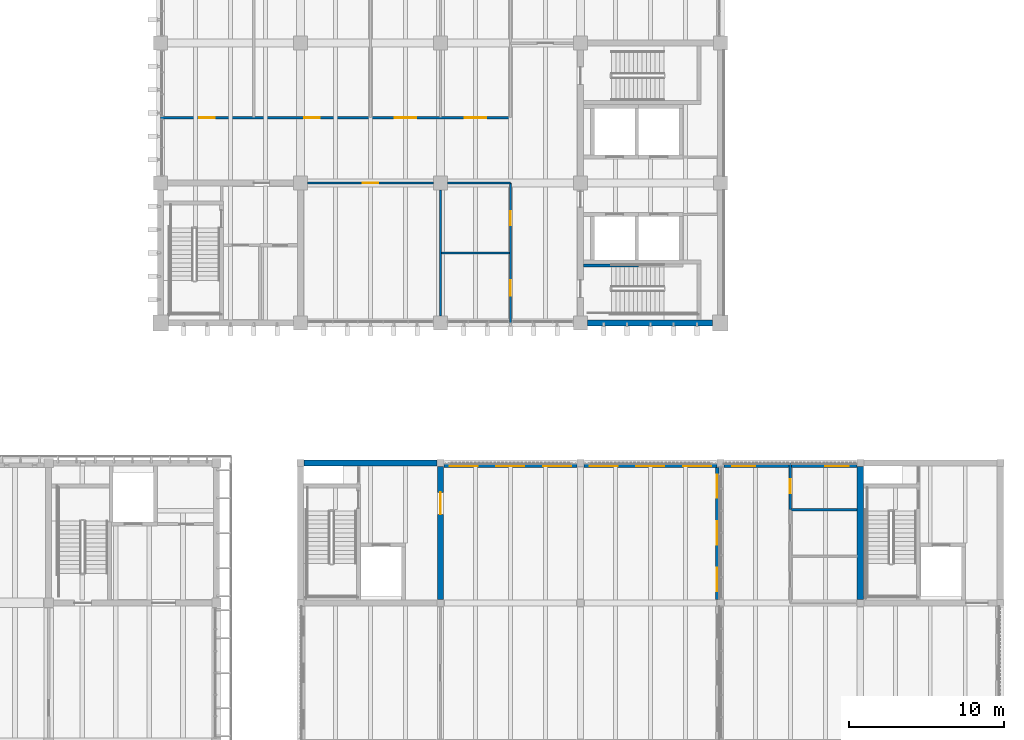
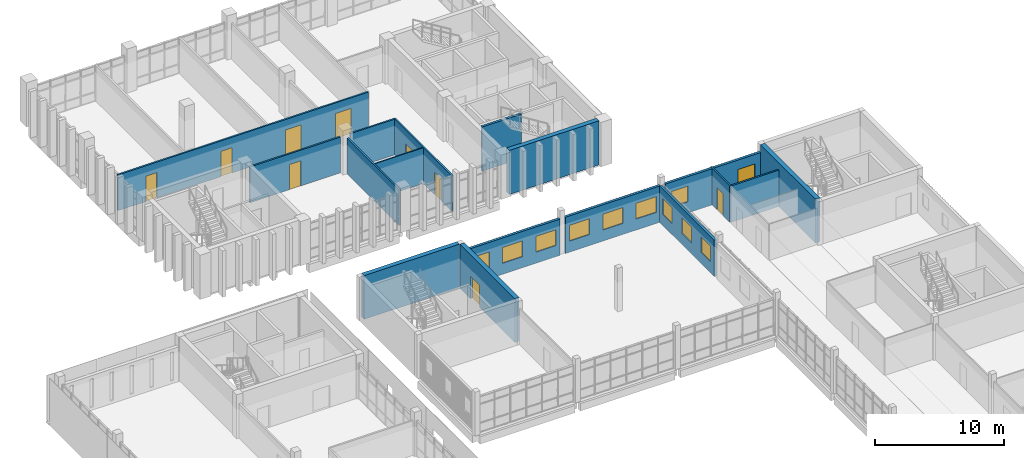
# One storey, part 58 of 88: 18 walls, 11 windows, 9 doors, 20 openings.
"""IFC4 building model written with IfcOpenShell, lengths in metres."""

from ifc_helpers import new_model, si_unit, direction, frame, frame_2d, origin, place, context, subcontext, project, spatial, rectangle, extrude, material, layer, layer_set, type_object, element, fill, save


model = new_model("IFC4")

# Units and contexts
model_context = context("Model", 3, precision=1e-05, world=origin(), true_north=direction((0.0, 1.0)))
body_context = subcontext(model_context, "Body", "Model", "MODEL_VIEW")
ifc_project = project(units=[si_unit("LENGTHUNIT", "METRE"), si_unit("AREAUNIT", "SQUARE_METRE"), si_unit("VOLUMEUNIT", "CUBIC_METRE"), si_unit("PLANEANGLEUNIT", "RADIAN"), si_unit("MASSUNIT", "GRAM", prefix="KILO")], contexts=[model_context])

# Site, building, storey
site_placement = place(None, origin())
site = spatial("IfcSite", under=ifc_project, at=site_placement, CompositionType="ELEMENT")
building_placement = place(site_placement, origin())
building = spatial("IfcBuilding", under=site, at=building_placement, Name="Merrow Basin Faculty of Sciences", CompositionType="ELEMENT")
storey_placement = place(building_placement, frame((0.0, 0.0, 9.0)))
storey = spatial("IfcBuildingStorey", under=building, at=storey_placement, Name="L02", CompositionType="ELEMENT", Elevation=9.0)

# Wall, openings, doors
ifc_material_1 = material(Name="Fire-rated gypsum board")
ifc_layer_1 = layer(ifc_material_1, 0.14990234375)
ifc_layer_set_1 = layer_set([ifc_layer_1], Name="Corridor partition 150 fire-rated board on steel studs")
wall_type_1 = type_object("IfcWallType", Name="Corridor partition 150 fire-rated board on steel studs", PredefinedType="PARTITIONING", material=ifc_layer_set_1)
wall_1_placement = place(storey_placement, frame((40.5, 142.0, 0.0), z_axis=(0.0, 0.0, 1.0), x_axis=(0.0, 1.0, 0.0)))
wall_1 = element("IfcWall", 1, at=wall_1_placement, inside=storey, type_object=wall_type_1, Name="IW151 L02 004", PredefinedType="PARTITIONING", context=body_context, shape_type="SweptSolid", body=[
    extrude(rectangle(XDim=9.0, YDim=0.14990234375, at=frame_2d((4.5, 0.0))), origin(), (0.0, 0.0, 1.0), 3.39990234375),
])
opening_1_placement = place(wall_1_placement, frame((1.75, 0.0, 0.0)))
opening_1 = element("IfcOpeningElement", 2, at=opening_1_placement, cuts=wall_1, Name="Opening D02T008", PredefinedType="OPENING", context=body_context, shape_type="SweptSolid", body=[
    extrude(rectangle(XDim=1.0, YDim=2.10009765625, at=frame_2d((0.5, 1.050048828125))), frame((0.0, 0.0849609375, 0.0), z_axis=(0.0, -1.0, 0.0), x_axis=(1.0, 0.0, 0.0)), (0.0, 0.0, 1.0), 0.169921875),
])
opening_2_placement = place(wall_1_placement, frame((6.300048828125, 0.0, 0.0)))
opening_2 = element("IfcOpeningElement", 3, at=opening_2_placement, cuts=wall_1, Name="Opening D02T009", PredefinedType="OPENING", context=body_context, shape_type="SweptSolid", body=[
    extrude(rectangle(XDim=0.89990234375, YDim=2.10009765625, at=frame_2d((0.449951171875, 1.050048828125))), frame((0.0, 0.0849609375, 0.0), z_axis=(0.0, -1.0, 0.0), x_axis=(1.0, 0.0, 0.0)), (0.0, 0.0, 1.0), 0.169921875),
])
ifc_material_2 = material(Name="Timber door leaf", Category="wood")
door_type_1 = type_object("IfcDoorType", Name="Accessible door 1000 x 2100", OperationType="NOTDEFINED", PredefinedType="DOOR", material=ifc_material_2)
door_1_placement = place(opening_1_placement, origin())
door_1 = element("IfcDoor", 4, at=door_1_placement, inside=storey, type_object=door_type_1, Name="Door D02T008", OperationType="SINGLE_SWING_LEFT", OverallHeight=2.10009765625, OverallWidth=1.0, PredefinedType="DOOR", context=body_context, shape_type="SweptSolid", body=[
    extrude(rectangle(XDim=1.0, YDim=2.10009765625, at=frame_2d((0.5, 1.050048828125))), frame((0.0, 0.02490234375, 0.0), z_axis=(0.0, -1.0, 0.0), x_axis=(1.0, 0.0, 0.0)), (0.0, 0.0, 1.0), 0.050048828125),
])
fill(opening_1, door_1)
ifc_material_3 = material(Name="Timber door leaf", Category="wood")
door_type_2 = type_object("IfcDoorType", Name="Single swing door 900 x 2100", OperationType="NOTDEFINED", PredefinedType="DOOR", material=ifc_material_3)
door_2_placement = place(opening_2_placement, origin())
door_2 = element("IfcDoor", 5, at=door_2_placement, inside=storey, type_object=door_type_2, Name="Door D02T009", OperationType="SINGLE_SWING_LEFT", OverallHeight=2.10009765625, OverallWidth=0.89990234375, PredefinedType="DOOR", context=body_context, shape_type="SweptSolid", body=[
    extrude(rectangle(XDim=0.89990234375, YDim=2.10009765625, at=frame_2d((0.449951171875, 1.050048828125))), frame((0.0, 0.02490234375, 0.0), z_axis=(0.0, -1.0, 0.0), x_axis=(1.0, 0.0, 0.0)), (0.0, 0.0, 1.0), 0.050048828125),
])
fill(opening_2, door_2)

# Wall
wall_2_placement = place(storey_placement, frame((36.449951171875, 151.0, 0.0), z_axis=(0.0, 0.0, 1.0), x_axis=(1.0, 0.0, 0.0)))
element("IfcWall", 6, at=wall_2_placement, inside=storey, type_object=wall_type_1, Name="IW151 L02 007", PredefinedType="PARTITIONING", context=body_context, shape_type="SweptSolid", body=[
    extrude(rectangle(XDim=4.050048828125, YDim=0.14990234375, at=frame_2d((2.02490234375, 0.0))), origin(), (0.0, 0.0, 1.0), 3.39990234375),
])

# Wall, opening, window
ifc_material_4 = material(Name="Precast concrete C40/50", Category="concrete")
ifc_layer_2 = layer(ifc_material_4, 0.215087890625)
ifc_layer_set_2 = layer_set([ifc_layer_2], Name="External infill wall 215 Precast concrete C40/50")
wall_type_2 = type_object("IfcWallType", Name="External infill wall 215 Precast concrete C40/50", PredefinedType="STANDARD", material=ifc_layer_set_2)
wall_3_placement = place(storey_placement, frame((54.22509765625, 132.80810546875, 0.0), z_axis=(0.0, 0.0, 1.0), x_axis=(1.0, 0.0, 0.0)))
wall_3 = element("IfcWall", 7, at=wall_3_placement, inside=storey, type_object=wall_type_2, Name="N external wall 1", PredefinedType="STANDARD", context=body_context, shape_type="SweptSolid", body=[
    extrude(rectangle(XDim=4.199951171875, YDim=0.215087890625, at=frame_2d((2.10009765625, 0.0))), origin(), (0.0, 0.0, 1.0), 3.449951171875),
])
opening_3_placement = place(wall_3_placement, frame((0.52490234375, 0.0, 1.050048828125)))
opening_3 = element("IfcOpeningElement", 8, at=opening_3_placement, cuts=wall_3, Name="Opening WN9", PredefinedType="OPENING", context=body_context, shape_type="SweptSolid", body=[
    extrude(rectangle(XDim=1.5, YDim=1.5, at=frame_2d((0.75, 0.75))), frame((0.0, 0.117431640625, 0.0), z_axis=(0.0, -1.0, 0.0), x_axis=(1.0, 0.0, 0.0)), (0.0, 0.0, 1.0), 0.235107421875),
])
ifc_material_5 = material(Name="Low-E double glazing", Category="glass")
window_type_1 = type_object("IfcWindowType", Name="Clerestory window 1500 x 1500", PartitioningType="SINGLE_PANEL", PredefinedType="WINDOW", material=ifc_material_5)
window_1_placement = place(opening_3_placement, origin())
window_1 = element("IfcWindow", 9, at=window_1_placement, inside=storey, type_object=window_type_1, Name="N window L02", OverallHeight=1.5, OverallWidth=1.5, PartitioningType="SINGLE_PANEL", PredefinedType="WINDOW", context=body_context, shape_type="SweptSolid", body=[
    extrude(rectangle(XDim=1.5, YDim=1.5, at=frame_2d((0.75, 0.75))), frame((0.0, 0.030029296875, 0.0), z_axis=(0.0, -1.0, 0.0), x_axis=(1.0, 0.0, 0.0)), (0.0, 0.0, 1.0), 0.06005859375),
])
fill(opening_3, window_1)

wall_4_placement = place(storey_placement, frame((58.574951171875, 132.80810546875, 0.0), z_axis=(0.0, 0.0, 1.0), x_axis=(1.0, 0.0, 0.0)))
wall_4 = element("IfcWall", 10, at=wall_4_placement, inside=storey, type_object=wall_type_2, Name="N external wall 2", PredefinedType="STANDARD", context=body_context, shape_type="SweptSolid", body=[
    extrude(rectangle(XDim=4.199951171875, YDim=0.215087890625, at=frame_2d((2.10009765625, 0.0))), origin(), (0.0, 0.0, 1.0), 3.449951171875),
])
opening_4_placement = place(wall_4_placement, frame((2.175048828125, 0.0, 1.050048828125)))
opening_4 = element("IfcOpeningElement", 11, at=opening_4_placement, cuts=wall_4, Name="Opening WN9", PredefinedType="OPENING", context=body_context, shape_type="SweptSolid", body=[
    extrude(rectangle(XDim=1.5, YDim=1.5, at=frame_2d((0.75, 0.75))), frame((0.0, 0.117431640625, 0.0), z_axis=(0.0, -1.0, 0.0), x_axis=(1.0, 0.0, 0.0)), (0.0, 0.0, 1.0), 0.235107421875),
])
window_2_placement = place(opening_4_placement, origin())
window_2 = element("IfcWindow", 12, at=window_2_placement, inside=storey, type_object=window_type_1, Name="N window L02", OverallHeight=1.5, OverallWidth=1.5, PartitioningType="SINGLE_PANEL", PredefinedType="WINDOW", context=body_context, shape_type="SweptSolid", body=[
    extrude(rectangle(XDim=1.5, YDim=1.5, at=frame_2d((0.75, 0.75))), frame((0.0, 0.030029296875, 0.0), z_axis=(0.0, -1.0, 0.0), x_axis=(1.0, 0.0, 0.0)), (0.0, 0.0, 1.0), 0.06005859375),
])
fill(opening_4, window_2)

# Wall, openings, windows
wall_5_placement = place(storey_placement, frame((36.22509765625, 132.80810546875, 0.0), z_axis=(0.0, 0.0, 1.0), x_axis=(1.0, 0.0, 0.0)))
wall_5 = element("IfcWall", 13, at=wall_5_placement, inside=storey, type_object=wall_type_2, Name="N external wall 1", PredefinedType="STANDARD", context=body_context, shape_type="SweptSolid", body=[
    extrude(rectangle(XDim=8.5498046875, YDim=0.215087890625, at=frame_2d((4.27490234375, 0.0))), origin(), (0.0, 0.0, 1.0), 3.449951171875),
])
opening_5_placement = place(wall_5_placement, frame((0.375, 0.0, 1.050048828125)))
opening_5 = element("IfcOpeningElement", 14, at=opening_5_placement, cuts=wall_5, Name="Opening WN15", PredefinedType="OPENING", context=body_context, shape_type="SweptSolid", body=[
    extrude(rectangle(XDim=1.800048828125, YDim=1.5, at=frame_2d((0.89990234375, 0.75))), frame((0.0, 0.117431640625, 0.0), z_axis=(0.0, -1.0, 0.0), x_axis=(1.0, 0.0, 0.0)), (0.0, 0.0, 1.0), 0.235107421875),
])
opening_6_placement = place(wall_5_placement, frame((3.375, 0.0, 1.050048828125)))
opening_6 = element("IfcOpeningElement", 15, at=opening_6_placement, cuts=wall_5, Name="Opening WN15", PredefinedType="OPENING", context=body_context, shape_type="SweptSolid", body=[
    extrude(rectangle(XDim=1.800048828125, YDim=1.5, at=frame_2d((0.89990234375, 0.75))), frame((0.0, 0.117431640625, 0.0), z_axis=(0.0, -1.0, 0.0), x_axis=(1.0, 0.0, 0.0)), (0.0, 0.0, 1.0), 0.235107421875),
])
opening_7_placement = place(wall_5_placement, frame((6.375, 0.0, 1.050048828125)))
opening_7 = element("IfcOpeningElement", 16, at=opening_7_placement, cuts=wall_5, Name="Opening WN15", PredefinedType="OPENING", context=body_context, shape_type="SweptSolid", body=[
    extrude(rectangle(XDim=1.800048828125, YDim=1.5, at=frame_2d((0.89990234375, 0.75))), frame((0.0, 0.117431640625, 0.0), z_axis=(0.0, -1.0, 0.0), x_axis=(1.0, 0.0, 0.0)), (0.0, 0.0, 1.0), 0.235107421875),
])
ifc_material_6 = material(Name="Low-E double glazing", Category="glass")
window_type_2 = type_object("IfcWindowType", Name="Reading room clerestory window 1800 x 1500", PartitioningType="SINGLE_PANEL", PredefinedType="WINDOW", material=ifc_material_6)
window_3_placement = place(opening_5_placement, origin())
window_3 = element("IfcWindow", 17, at=window_3_placement, inside=storey, type_object=window_type_2, Name="N window L02", OverallHeight=1.5, OverallWidth=1.800048828125, PartitioningType="SINGLE_PANEL", PredefinedType="WINDOW", context=body_context, shape_type="SweptSolid", body=[
    extrude(rectangle(XDim=1.800048828125, YDim=1.5, at=frame_2d((0.89990234375, 0.75))), frame((0.0, 0.030029296875, 0.0), z_axis=(0.0, -1.0, 0.0), x_axis=(1.0, 0.0, 0.0)), (0.0, 0.0, 1.0), 0.06005859375),
])
fill(opening_5, window_3)
window_4_placement = place(opening_6_placement, origin())
window_4 = element("IfcWindow", 18, at=window_4_placement, inside=storey, type_object=window_type_2, Name="N window L02", OverallHeight=1.5, OverallWidth=1.800048828125, PartitioningType="SINGLE_PANEL", PredefinedType="WINDOW", context=body_context, shape_type="SweptSolid", body=[
    extrude(rectangle(XDim=1.800048828125, YDim=1.5, at=frame_2d((0.89990234375, 0.75))), frame((0.0, 0.030029296875, 0.0), z_axis=(0.0, -1.0, 0.0), x_axis=(1.0, 0.0, 0.0)), (0.0, 0.0, 1.0), 0.06005859375),
])
fill(opening_6, window_4)
window_5_placement = place(opening_7_placement, origin())
window_5 = element("IfcWindow", 19, at=window_5_placement, inside=storey, type_object=window_type_2, Name="N window L02", OverallHeight=1.5, OverallWidth=1.800048828125, PartitioningType="SINGLE_PANEL", PredefinedType="WINDOW", context=body_context, shape_type="SweptSolid", body=[
    extrude(rectangle(XDim=1.800048828125, YDim=1.5, at=frame_2d((0.89990234375, 0.75))), frame((0.0, 0.030029296875, 0.0), z_axis=(0.0, -1.0, 0.0), x_axis=(1.0, 0.0, 0.0)), (0.0, 0.0, 1.0), 0.06005859375),
])
fill(opening_7, window_5)

wall_6_placement = place(storey_placement, frame((45.22509765625, 132.80810546875, 0.0), z_axis=(0.0, 0.0, 1.0), x_axis=(1.0, 0.0, 0.0)))
wall_6 = element("IfcWall", 20, at=wall_6_placement, inside=storey, type_object=wall_type_2, Name="N external wall 2", PredefinedType="STANDARD", context=body_context, shape_type="SweptSolid", body=[
    extrude(rectangle(XDim=8.5498046875, YDim=0.215087890625, at=frame_2d((4.27490234375, 0.0))), origin(), (0.0, 0.0, 1.0), 3.449951171875),
])
opening_8_placement = place(wall_6_placement, frame((0.375, 0.0, 1.050048828125)))
opening_8 = element("IfcOpeningElement", 21, at=opening_8_placement, cuts=wall_6, Name="Opening WN15", PredefinedType="OPENING", context=body_context, shape_type="SweptSolid", body=[
    extrude(rectangle(XDim=1.800048828125, YDim=1.5, at=frame_2d((0.89990234375, 0.75))), frame((0.0, 0.117431640625, 0.0), z_axis=(0.0, -1.0, 0.0), x_axis=(1.0, 0.0, 0.0)), (0.0, 0.0, 1.0), 0.235107421875),
])
opening_9_placement = place(wall_6_placement, frame((3.375, 0.0, 1.050048828125)))
opening_9 = element("IfcOpeningElement", 22, at=opening_9_placement, cuts=wall_6, Name="Opening WN15", PredefinedType="OPENING", context=body_context, shape_type="SweptSolid", body=[
    extrude(rectangle(XDim=1.800048828125, YDim=1.5, at=frame_2d((0.89990234375, 0.75))), frame((0.0, 0.117431640625, 0.0), z_axis=(0.0, -1.0, 0.0), x_axis=(1.0, 0.0, 0.0)), (0.0, 0.0, 1.0), 0.235107421875),
])
opening_10_placement = place(wall_6_placement, frame((6.375, 0.0, 1.050048828125)))
opening_10 = element("IfcOpeningElement", 23, at=opening_10_placement, cuts=wall_6, Name="Opening WN15", PredefinedType="OPENING", context=body_context, shape_type="SweptSolid", body=[
    extrude(rectangle(XDim=1.800048828125, YDim=1.5, at=frame_2d((0.89990234375, 0.75))), frame((0.0, 0.117431640625, 0.0), z_axis=(0.0, -1.0, 0.0), x_axis=(1.0, 0.0, 0.0)), (0.0, 0.0, 1.0), 0.235107421875),
])
window_6_placement = place(opening_8_placement, origin())
window_6 = element("IfcWindow", 24, at=window_6_placement, inside=storey, type_object=window_type_2, Name="N window L02", OverallHeight=1.5, OverallWidth=1.800048828125, PartitioningType="SINGLE_PANEL", PredefinedType="WINDOW", context=body_context, shape_type="SweptSolid", body=[
    extrude(rectangle(XDim=1.800048828125, YDim=1.5, at=frame_2d((0.89990234375, 0.75))), frame((0.0, 0.030029296875, 0.0), z_axis=(0.0, -1.0, 0.0), x_axis=(1.0, 0.0, 0.0)), (0.0, 0.0, 1.0), 0.06005859375),
])
fill(opening_8, window_6)
window_7_placement = place(opening_9_placement, origin())
window_7 = element("IfcWindow", 25, at=window_7_placement, inside=storey, type_object=window_type_2, Name="N window L02", OverallHeight=1.5, OverallWidth=1.800048828125, PartitioningType="SINGLE_PANEL", PredefinedType="WINDOW", context=body_context, shape_type="SweptSolid", body=[
    extrude(rectangle(XDim=1.800048828125, YDim=1.5, at=frame_2d((0.89990234375, 0.75))), frame((0.0, 0.030029296875, 0.0), z_axis=(0.0, -1.0, 0.0), x_axis=(1.0, 0.0, 0.0)), (0.0, 0.0, 1.0), 0.06005859375),
])
fill(opening_9, window_7)
window_8_placement = place(opening_10_placement, origin())
window_8 = element("IfcWindow", 26, at=window_8_placement, inside=storey, type_object=window_type_2, Name="N window L02", OverallHeight=1.5, OverallWidth=1.800048828125, PartitioningType="SINGLE_PANEL", PredefinedType="WINDOW", context=body_context, shape_type="SweptSolid", body=[
    extrude(rectangle(XDim=1.800048828125, YDim=1.5, at=frame_2d((0.89990234375, 0.75))), frame((0.0, 0.030029296875, 0.0), z_axis=(0.0, -1.0, 0.0), x_axis=(1.0, 0.0, 0.0)), (0.0, 0.0, 1.0), 0.06005859375),
])
fill(opening_10, window_8)

wall_7_placement = place(storey_placement, frame((53.806884765625, 132.700927734375, 0.0), z_axis=(0.0, 0.0, 1.0), x_axis=(0.0, -1.0, 0.0)))
wall_7 = element("IfcWall", 27, at=wall_7_placement, inside=storey, type_object=wall_type_2, Name="E external wall 2", PredefinedType="STANDARD", context=body_context, shape_type="SweptSolid", body=[
    extrude(rectangle(XDim=8.475830078125, YDim=0.215087890625, at=frame_2d((4.23779296875, 0.0))), origin(), (0.0, 0.0, 1.0), 3.449951171875),
])
opening_11_placement = place(wall_7_placement, frame((6.450927734375, 0.0, 1.050048828125)))
opening_11 = element("IfcOpeningElement", 28, at=opening_11_placement, cuts=wall_7, Name="Opening WN9", PredefinedType="OPENING", context=body_context, shape_type="SweptSolid", body=[
    extrude(rectangle(XDim=1.5, YDim=1.5, at=frame_2d((0.75, 0.75))), frame((0.0, 0.117431640625, 0.0), z_axis=(0.0, -1.0, 0.0), x_axis=(1.0, 0.0, 0.0)), (0.0, 0.0, 1.0), 0.235107421875),
])
opening_12_placement = place(wall_7_placement, frame((3.450927734375, 0.0, 1.050048828125)))
opening_12 = element("IfcOpeningElement", 29, at=opening_12_placement, cuts=wall_7, Name="Opening WN9", PredefinedType="OPENING", context=body_context, shape_type="SweptSolid", body=[
    extrude(rectangle(XDim=1.5, YDim=1.5, at=frame_2d((0.75, 0.75))), frame((0.0, 0.117431640625, 0.0), z_axis=(0.0, -1.0, 0.0), x_axis=(1.0, 0.0, 0.0)), (0.0, 0.0, 1.0), 0.235107421875),
])
opening_13_placement = place(wall_7_placement, frame((0.450927734375, 0.0, 1.050048828125)))
opening_13 = element("IfcOpeningElement", 30, at=opening_13_placement, cuts=wall_7, Name="Opening WN9", PredefinedType="OPENING", context=body_context, shape_type="SweptSolid", body=[
    extrude(rectangle(XDim=1.5, YDim=1.5, at=frame_2d((0.75, 0.75))), frame((0.0, 0.117431640625, 0.0), z_axis=(0.0, -1.0, 0.0), x_axis=(1.0, 0.0, 0.0)), (0.0, 0.0, 1.0), 0.235107421875),
])
window_9_placement = place(opening_11_placement, origin())
window_9 = element("IfcWindow", 31, at=window_9_placement, inside=storey, type_object=window_type_1, Name="E window L02", OverallHeight=1.5, OverallWidth=1.5, PartitioningType="SINGLE_PANEL", PredefinedType="WINDOW", context=body_context, shape_type="SweptSolid", body=[
    extrude(rectangle(XDim=1.5, YDim=1.5, at=frame_2d((0.75, 0.75))), frame((0.0, 0.030029296875, 0.0), z_axis=(0.0, -1.0, 0.0), x_axis=(1.0, 0.0, 0.0)), (0.0, 0.0, 1.0), 0.06005859375),
])
fill(opening_11, window_9)
window_10_placement = place(opening_12_placement, origin())
window_10 = element("IfcWindow", 32, at=window_10_placement, inside=storey, type_object=window_type_1, Name="E window L02", OverallHeight=1.5, OverallWidth=1.5, PartitioningType="SINGLE_PANEL", PredefinedType="WINDOW", context=body_context, shape_type="SweptSolid", body=[
    extrude(rectangle(XDim=1.5, YDim=1.5, at=frame_2d((0.75, 0.75))), frame((0.0, 0.030029296875, 0.0), z_axis=(0.0, -1.0, 0.0), x_axis=(1.0, 0.0, 0.0)), (0.0, 0.0, 1.0), 0.06005859375),
])
fill(opening_12, window_10)
window_11_placement = place(opening_13_placement, origin())
window_11 = element("IfcWindow", 33, at=window_11_placement, inside=storey, type_object=window_type_1, Name="E window L02", OverallHeight=1.5, OverallWidth=1.5, PartitioningType="SINGLE_PANEL", PredefinedType="WINDOW", context=body_context, shape_type="SweptSolid", body=[
    extrude(rectangle(XDim=1.5, YDim=1.5, at=frame_2d((0.75, 0.75))), frame((0.0, 0.030029296875, 0.0), z_axis=(0.0, -1.0, 0.0), x_axis=(1.0, 0.0, 0.0)), (0.0, 0.0, 1.0), 0.06005859375),
])
fill(opening_13, window_11)

# Wall
ifc_material_7 = material(Name="Fire-rated gypsum board")
ifc_layer_3 = layer(ifc_material_7, 0.14990234375)
ifc_layer_set_3 = layer_set([ifc_layer_3], Name="Laboratory partition 150 fire-rated board on steel studs")
wall_type_3 = type_object("IfcWallType", Name="Laboratory partition 150 fire-rated board on steel studs", PredefinedType="PARTITIONING", material=ifc_layer_set_3)
wall_8_placement = place(storey_placement, frame((36.0, 142.449951171875, 0.0), z_axis=(0.0, 0.0, 1.0), x_axis=(0.0, 1.0, 0.0)))
element("IfcWall", 34, at=wall_8_placement, inside=storey, type_object=wall_type_3, Name="IW150 L02 012", PredefinedType="PARTITIONING", context=body_context, shape_type="SweptSolid", body=[
    extrude(rectangle(XDim=8.10009765625, YDim=0.14990234375, at=frame_2d((4.050048828125, 0.0))), origin(), (0.0, 0.0, 1.0), 3.39990234375),
])

# Wall, opening, door
wall_9_placement = place(storey_placement, frame((27.449951171875, 151.0, 0.0), z_axis=(0.0, 0.0, 1.0), x_axis=(1.0, 0.0, 0.0)))
wall_9 = element("IfcWall", 35, at=wall_9_placement, inside=storey, type_object=wall_type_3, Name="IW150 L02 016", PredefinedType="PARTITIONING", context=body_context, shape_type="SweptSolid", body=[
    extrude(rectangle(XDim=8.10009765625, YDim=0.14990234375, at=frame_2d((4.050048828125, 0.0))), origin(), (0.0, 0.0, 1.0), 3.39990234375),
])
opening_14_placement = place(wall_9_placement, frame((3.550048828125, 0.0, 0.0)))
opening_14 = element("IfcOpeningElement", 36, at=opening_14_placement, cuts=wall_9, Name="Opening D02T014", PredefinedType="OPENING", context=body_context, shape_type="SweptSolid", body=[
    extrude(rectangle(XDim=1.0, YDim=2.39990234375, at=frame_2d((0.5, 1.199951171875))), frame((0.0, 0.0849609375, 0.0), z_axis=(0.0, -1.0, 0.0), x_axis=(1.0, 0.0, 0.0)), (0.0, 0.0, 1.0), 0.169921875),
])
ifc_material_8 = material(Name="Fire-rated steel door", Category="steel")
door_type_3 = type_object("IfcDoorType", Name="Fire door FD60 1000 x 2400", OperationType="NOTDEFINED", PredefinedType="DOOR", material=ifc_material_8)
door_3_placement = place(opening_14_placement, origin())
door_3 = element("IfcDoor", 37, at=door_3_placement, inside=storey, type_object=door_type_3, Name="Door D02T014", OperationType="SINGLE_SWING_LEFT", OverallHeight=2.39990234375, OverallWidth=1.0, PredefinedType="DOOR", context=body_context, shape_type="SweptSolid", body=[
    extrude(rectangle(XDim=1.0, YDim=2.39990234375, at=frame_2d((0.5, 1.199951171875))), frame((0.0, 0.02490234375, 0.0), z_axis=(0.0, -1.0, 0.0), x_axis=(1.0, 0.0, 0.0)), (0.0, 0.0, 1.0), 0.050048828125),
])
fill(opening_14, door_3)

# Wall, openings, doors
wall_10_placement = place(storey_placement, frame((18.0, 155.199951171875, 0.0), z_axis=(0.0, 0.0, 1.0), x_axis=(1.0, 0.0, 0.0)))
wall_10 = element("IfcWall", 38, at=wall_10_placement, inside=storey, type_object=wall_type_3, Name="IW150 L02 017", PredefinedType="PARTITIONING", context=body_context, shape_type="SweptSolid", body=[
    extrude(rectangle(XDim=22.5, YDim=0.14990234375, at=frame_2d((11.25, 0.0))), origin(), (0.0, 0.0, 1.0), 3.39990234375),
])
opening_15_placement = place(wall_10_placement, frame((2.5, 0.0, 0.0)))
opening_15 = element("IfcOpeningElement", 39, at=opening_15_placement, cuts=wall_10, Name="Opening D02T010", PredefinedType="OPENING", context=body_context, shape_type="SweptSolid", body=[
    extrude(rectangle(XDim=1.0, YDim=2.39990234375, at=frame_2d((0.5, 1.199951171875))), frame((0.0, 0.0849609375, 0.0), z_axis=(0.0, -1.0, 0.0), x_axis=(1.0, 0.0, 0.0)), (0.0, 0.0, 1.0), 0.169921875),
])
opening_16_placement = place(wall_10_placement, frame((9.25, 0.0, 0.0)))
opening_16 = element("IfcOpeningElement", 40, at=opening_16_placement, cuts=wall_10, Name="Opening D02T011", PredefinedType="OPENING", context=body_context, shape_type="SweptSolid", body=[
    extrude(rectangle(XDim=1.0, YDim=2.39990234375, at=frame_2d((0.5, 1.199951171875))), frame((0.0, 0.0849609375, 0.0), z_axis=(0.0, -1.0, 0.0), x_axis=(1.0, 0.0, 0.0)), (0.0, 0.0, 1.0), 0.169921875),
])
opening_17_placement = place(wall_10_placement, frame((15.050048828125, 0.0, 0.0)))
opening_17 = element("IfcOpeningElement", 41, at=opening_17_placement, cuts=wall_10, Name="Opening D02T012", PredefinedType="OPENING", context=body_context, shape_type="SweptSolid", body=[
    extrude(rectangle(XDim=1.39990234375, YDim=2.39990234375, at=frame_2d((0.699951171875, 1.199951171875))), frame((0.0, 0.0849609375, 0.0), z_axis=(0.0, -1.0, 0.0), x_axis=(1.0, 0.0, 0.0)), (0.0, 0.0, 1.0), 0.169921875),
])
opening_18_placement = place(wall_10_placement, frame((19.550048828125, 0.0, 0.0)))
opening_18 = element("IfcOpeningElement", 42, at=opening_18_placement, cuts=wall_10, Name="Opening D02T013", PredefinedType="OPENING", context=body_context, shape_type="SweptSolid", body=[
    extrude(rectangle(XDim=1.39990234375, YDim=2.39990234375, at=frame_2d((0.699951171875, 1.199951171875))), frame((0.0, 0.0849609375, 0.0), z_axis=(0.0, -1.0, 0.0), x_axis=(1.0, 0.0, 0.0)), (0.0, 0.0, 1.0), 0.169921875),
])
door_4_placement = place(opening_15_placement, origin())
door_4 = element("IfcDoor", 43, at=door_4_placement, inside=storey, type_object=door_type_3, Name="Door D02T010", OperationType="SINGLE_SWING_LEFT", OverallHeight=2.39990234375, OverallWidth=1.0, PredefinedType="DOOR", context=body_context, shape_type="SweptSolid", body=[
    extrude(rectangle(XDim=1.0, YDim=2.39990234375, at=frame_2d((0.5, 1.199951171875))), frame((0.0, 0.02490234375, 0.0), z_axis=(0.0, -1.0, 0.0), x_axis=(1.0, 0.0, 0.0)), (0.0, 0.0, 1.0), 0.050048828125),
])
fill(opening_15, door_4)
door_5_placement = place(opening_16_placement, origin())
door_5 = element("IfcDoor", 44, at=door_5_placement, inside=storey, type_object=door_type_3, Name="Door D02T011", OperationType="SINGLE_SWING_LEFT", OverallHeight=2.39990234375, OverallWidth=1.0, PredefinedType="DOOR", context=body_context, shape_type="SweptSolid", body=[
    extrude(rectangle(XDim=1.0, YDim=2.39990234375, at=frame_2d((0.5, 1.199951171875))), frame((0.0, 0.02490234375, 0.0), z_axis=(0.0, -1.0, 0.0), x_axis=(1.0, 0.0, 0.0)), (0.0, 0.0, 1.0), 0.050048828125),
])
fill(opening_16, door_5)
ifc_material_9 = material(Name="Fire-rated steel door", Category="steel")
door_type_4 = type_object("IfcDoorType", Name="Fire door FD60 1400 x 2400", OperationType="NOTDEFINED", PredefinedType="DOOR", material=ifc_material_9)
door_6_placement = place(opening_17_placement, origin())
door_6 = element("IfcDoor", 45, at=door_6_placement, inside=storey, type_object=door_type_4, Name="Door D02T012", OperationType="SINGLE_SWING_LEFT", OverallHeight=2.39990234375, OverallWidth=1.39990234375, PredefinedType="DOOR", context=body_context, shape_type="SweptSolid", body=[
    extrude(rectangle(XDim=1.39990234375, YDim=2.39990234375, at=frame_2d((0.699951171875, 1.199951171875))), frame((0.0, 0.02490234375, 0.0), z_axis=(0.0, -1.0, 0.0), x_axis=(1.0, 0.0, 0.0)), (0.0, 0.0, 1.0), 0.050048828125),
])
fill(opening_17, door_6)
door_7_placement = place(opening_18_placement, origin())
door_7 = element("IfcDoor", 46, at=door_7_placement, inside=storey, type_object=door_type_4, Name="Door D02T013", OperationType="SINGLE_SWING_LEFT", OverallHeight=2.39990234375, OverallWidth=1.39990234375, PredefinedType="DOOR", context=body_context, shape_type="SweptSolid", body=[
    extrude(rectangle(XDim=1.39990234375, YDim=2.39990234375, at=frame_2d((0.699951171875, 1.199951171875))), frame((0.0, 0.02490234375, 0.0), z_axis=(0.0, -1.0, 0.0), x_axis=(1.0, 0.0, 0.0)), (0.0, 0.0, 1.0), 0.050048828125),
])
fill(opening_18, door_7)

# Walls
ifc_material_10 = material(Name="Moisture-resistant gypsum board")
ifc_layer_4 = layer(ifc_material_10, 0.10009765625)
ifc_layer_set_4 = layer_set([ifc_layer_4], Name="Partition 100 moisture-resistant board on steel studs")
wall_type_4 = type_object("IfcWallType", Name="Partition 100 moisture-resistant board on steel studs", PredefinedType="PARTITIONING", material=ifc_layer_set_4)
wall_11_placement = place(storey_placement, frame((36.074951171875, 146.5, 0.0), z_axis=(0.0, 0.0, 1.0), x_axis=(1.0, 0.0, 0.0)))
element("IfcWall", 47, at=wall_11_placement, inside=storey, type_object=wall_type_4, Name="IW101 L02 018", PredefinedType="PARTITIONING", context=body_context, shape_type="SweptSolid", body=[
    extrude(rectangle(XDim=4.35009765625, YDim=0.10009765625, at=frame_2d((2.175048828125, 0.0))), origin(), (0.0, 0.0, 1.0), 3.39990234375),
])
ifc_material_11 = material(Name="Concrete C50/60", Category="concrete")
ifc_layer_5 = layer(ifc_material_11, 0.199951171875)
ifc_layer_set_5 = layer_set([ifc_layer_5], Name="Shear wall 200 Concrete C50/60")
wall_type_5 = type_object("IfcWallType", Name="Shear wall 200 Concrete C50/60", PredefinedType="SHEAR", material=ifc_layer_set_5)
wall_12_placement = place(storey_placement, frame((45.199951171875, 145.699951171875, 0.0), z_axis=(0.0, 0.0, 1.0), x_axis=(1.0, 0.0, 0.0)))
element("IfcWall", 48, at=wall_12_placement, inside=storey, type_object=wall_type_5, Name="SW5 L02 018", PredefinedType="SHEAR", context=body_context, shape_type="SweptSolid", body=[
    extrude(rectangle(XDim=3.550048828125, YDim=0.199951171875, at=frame_2d((1.77490234375, 0.0))), origin(), (0.0, 0.0, 1.0), 4.199951171875),
])
ifc_material_12 = material(Name="Concrete C40/50", Category="concrete")
ifc_layer_6 = layer(ifc_material_12, 0.39990234375)
ifc_layer_set_6 = layer_set([ifc_layer_6], Name="Shear wall 400 Concrete C40/50")
wall_type_6 = type_object("IfcWallType", Name="Shear wall 400 Concrete C40/50", PredefinedType="SHEAR", material=ifc_layer_set_6)
wall_13_placement = place(storey_placement, frame((27.22509765625, 133.0, 0.0), z_axis=(0.0, 0.0, 1.0), x_axis=(1.0, 0.0, 0.0)))
element("IfcWall", 49, at=wall_13_placement, inside=storey, type_object=wall_type_6, Name="SW1 L02 002", PredefinedType="SHEAR", context=body_context, shape_type="SweptSolid", body=[
    extrude(rectangle(XDim=8.5498046875, YDim=0.39990234375, at=frame_2d((4.27490234375, 0.0))), origin(), (0.0, 0.0, 1.0), 4.14990234375),
])

# Wall, opening, door
wall_14_placement = place(storey_placement, frame((36.0, 124.22509765625, 0.0), z_axis=(0.0, 0.0, 1.0), x_axis=(0.0, 1.0, 0.0)))
wall_14 = element("IfcWall", 50, at=wall_14_placement, inside=storey, type_object=wall_type_6, Name="SW1 L02 004", PredefinedType="SHEAR", context=body_context, shape_type="SweptSolid", body=[
    extrude(rectangle(XDim=8.5498046875, YDim=0.39990234375, at=frame_2d((4.27490234375, 0.0))), origin(), (0.0, 0.0, 1.0), 4.14990234375),
])
opening_19_placement = place(wall_14_placement, frame((5.47509765625, 0.0, 0.0)))
opening_19 = element("IfcOpeningElement", 51, at=opening_19_placement, cuts=wall_14, Name="Opening D02C011", PredefinedType="OPENING", context=body_context, shape_type="SweptSolid", body=[
    extrude(rectangle(XDim=1.39990234375, YDim=2.10009765625, at=frame_2d((0.699951171875, 1.050048828125))), frame((0.0, 0.2099609375, 0.0), z_axis=(0.0, -1.0, 0.0), x_axis=(1.0, 0.0, 0.0)), (0.0, 0.0, 1.0), 0.419921875),
])
ifc_material_13 = material(Name="Fire-rated steel door", Category="steel")
door_type_5 = type_object("IfcDoorType", Name="Fire door FD60 1400 x 2100", OperationType="NOTDEFINED", PredefinedType="DOOR", material=ifc_material_13)
door_8_placement = place(opening_19_placement, origin())
door_8 = element("IfcDoor", 52, at=door_8_placement, inside=storey, type_object=door_type_5, Name="Door D02C011", OperationType="SINGLE_SWING_RIGHT", OverallHeight=2.10009765625, OverallWidth=1.39990234375, PredefinedType="DOOR", context=body_context, shape_type="SweptSolid", body=[
    extrude(rectangle(XDim=1.39990234375, YDim=2.10009765625, at=frame_2d((0.699951171875, 1.050048828125))), frame((0.0, 0.02490234375, 0.0), z_axis=(0.0, -1.0, 0.0), x_axis=(1.0, 0.0, 0.0)), (0.0, 0.0, 1.0), 0.050048828125),
])
fill(opening_19, door_8)

# Walls
wall_15_placement = place(storey_placement, frame((63.0, 124.22509765625, 0.0), z_axis=(0.0, 0.0, 1.0), x_axis=(0.0, 1.0, 0.0)))
element("IfcWall", 53, at=wall_15_placement, inside=storey, type_object=wall_type_6, Name="SW1 L02 027", PredefinedType="SHEAR", context=body_context, shape_type="SweptSolid", body=[
    extrude(rectangle(XDim=8.5498046875, YDim=0.39990234375, at=frame_2d((4.27490234375, 0.0))), origin(), (0.0, 0.0, 1.0), 4.14990234375),
])
ifc_material_14 = material(Name="Concrete C50/60", Category="concrete")
ifc_layer_7 = layer(ifc_material_14, 0.39990234375)
ifc_layer_set_7 = layer_set([ifc_layer_7], Name="Shear wall 400 Concrete C50/60")
wall_type_7 = type_object("IfcWallType", Name="Shear wall 400 Concrete C50/60", PredefinedType="SHEAR", material=ifc_layer_set_7)
wall_16_placement = place(storey_placement, frame((45.449951171875, 142.0, 0.0), z_axis=(0.0, 0.0, 1.0), x_axis=(1.0, 0.0, 0.0)))
element("IfcWall", 54, at=wall_16_placement, inside=storey, type_object=wall_type_7, Name="SW3 L02 001", PredefinedType="SHEAR", context=body_context, shape_type="SweptSolid", body=[
    extrude(rectangle(XDim=8.050048828125, YDim=0.39990234375, at=frame_2d((4.02490234375, 0.0))), origin(), (0.0, 0.0, 1.0), 4.199951171875),
])

# Wall, opening, door
ifc_material_15 = material(Name="Fire-rated gypsum board")
ifc_layer_8 = layer(ifc_material_15, 0.14990234375)
ifc_layer_set_8 = layer_set([ifc_layer_8], Name="Store partition 150 fire-rated board on steel studs")
wall_type_8 = type_object("IfcWallType", Name="Store partition 150 fire-rated board on steel studs", PredefinedType="PARTITIONING", material=ifc_layer_set_8)
wall_17_placement = place(storey_placement, frame((58.5, 130.0, 0.0), z_axis=(0.0, 0.0, 1.0), x_axis=(0.0, 1.0, 0.0)))
wall_17 = element("IfcWall", 55, at=wall_17_placement, inside=storey, type_object=wall_type_8, Name="IW152 L02 005", PredefinedType="PARTITIONING", context=body_context, shape_type="SweptSolid", body=[
    extrude(rectangle(XDim=3.0, YDim=0.14990234375, at=frame_2d((1.5, 0.0))), origin(), (0.0, 0.0, 1.0), 3.449951171875),
])
opening_20_placement = place(wall_17_placement, frame((1.050048828125, 0.0, 0.0)))
opening_20 = element("IfcOpeningElement", 56, at=opening_20_placement, cuts=wall_17, Name="Opening D02C023", PredefinedType="OPENING", context=body_context, shape_type="SweptSolid", body=[
    extrude(rectangle(XDim=0.89990234375, YDim=2.10009765625, at=frame_2d((0.449951171875, 1.050048828125))), frame((0.0, 0.0849609375, 0.0), z_axis=(0.0, -1.0, 0.0), x_axis=(1.0, 0.0, 0.0)), (0.0, 0.0, 1.0), 0.169921875),
])
ifc_material_16 = material(Name="Fire-rated steel door", Category="steel")
door_type_6 = type_object("IfcDoorType", Name="Fire door FD60 900 x 2100", OperationType="NOTDEFINED", PredefinedType="DOOR", material=ifc_material_16)
door_9_placement = place(opening_20_placement, origin())
door_9 = element("IfcDoor", 57, at=door_9_placement, inside=storey, type_object=door_type_6, Name="Door D02C023", OperationType="SINGLE_SWING_LEFT", OverallHeight=2.10009765625, OverallWidth=0.89990234375, PredefinedType="DOOR", context=body_context, shape_type="SweptSolid", body=[
    extrude(rectangle(XDim=0.89990234375, YDim=2.10009765625, at=frame_2d((0.449951171875, 1.050048828125))), frame((0.0, 0.02490234375, 0.0), z_axis=(0.0, -1.0, 0.0), x_axis=(1.0, 0.0, 0.0)), (0.0, 0.0, 1.0), 0.050048828125),
])
fill(opening_20, door_9)

# Wall
wall_18_placement = place(storey_placement, frame((58.5, 130.0, 0.0), z_axis=(0.0, 0.0, 1.0), x_axis=(1.0, 0.0, 0.0)))
element("IfcWall", 58, at=wall_18_placement, inside=storey, type_object=wall_type_8, Name="IW152 L02 006", PredefinedType="PARTITIONING", context=body_context, shape_type="SweptSolid", body=[
    extrude(rectangle(XDim=4.300048828125, YDim=0.14990234375, at=frame_2d((2.14990234375, 0.0))), origin(), (0.0, 0.0, 1.0), 3.449951171875),
])

save(model, "model.ifc")
